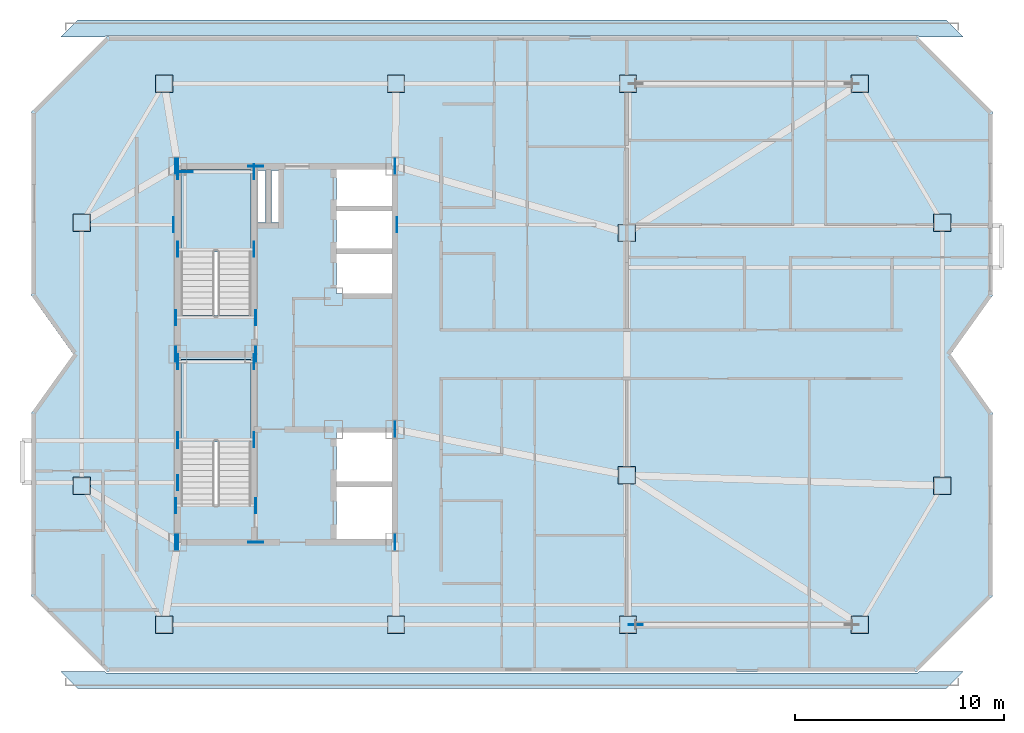
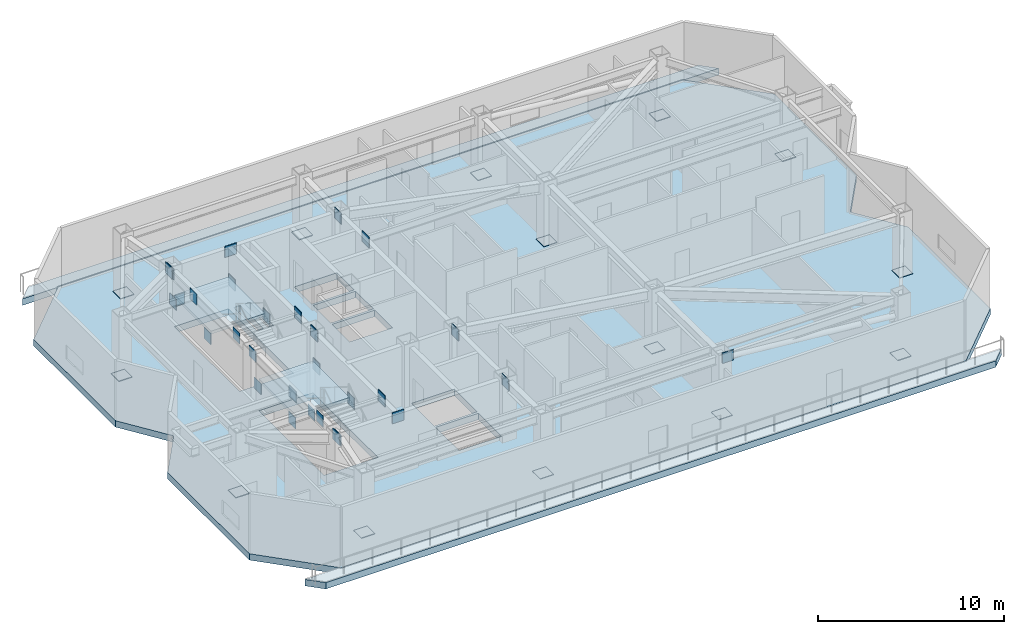
# One storey, part 2 of 11: 43 plates, 5 slabs, 2 elements without a shape of their own.
"""IFC4 building model written with IfcOpenShell, lengths in metres."""

from ifc_helpers import new_model, si_unit, direction, frame, origin, origin_2d, place, context, subcontext, project, spatial, polyline, rectangle, outline, extrude, material, layer, layer_set, type_object, element, aggregate, save


model = new_model("IFC4")

# Units and contexts
model_context = context("Model", 3, precision=1e-05, world=origin(), true_north=direction((0.0, 1.0)))
body_context = subcontext(model_context, "Body", "Model", "MODEL_VIEW")
ifc_project = project(units=[si_unit("LENGTHUNIT", "METRE"), si_unit("AREAUNIT", "SQUARE_METRE"), si_unit("VOLUMEUNIT", "CUBIC_METRE"), si_unit("PLANEANGLEUNIT", "RADIAN"), si_unit("MASSUNIT", "GRAM", prefix="KILO")], contexts=[model_context])

# Site, building, storey
site_placement = place(None, origin())
site = spatial("IfcSite", under=ifc_project, at=site_placement, CompositionType="ELEMENT")
building_placement = place(site_placement, origin())
building = spatial("IfcBuilding", under=site, at=building_placement, Name="Khamvora Tower", CompositionType="ELEMENT")
storey_placement = place(building_placement, frame((0.0, 0.0, 269.449951171875)))
storey = spatial("IfcBuildingStorey", under=building, at=storey_placement, Name="L69", CompositionType="ELEMENT", Elevation=269.449951171875)

# Plates
ifc_material_1 = material(Name="Steel S355", Category="steel")
ifc_layer_1 = layer(ifc_material_1, 0.02490234375)
ifc_layer_set_1 = layer_set([ifc_layer_1], Name="Steel S355")
plate_type_1 = type_object("IfcPlateType", Name="PL-CAP-25", PredefinedType="SHEET", material=ifc_layer_set_1)
for number, where, z_axis, x_axis, name in (
    (1, (28.35009765625, 15.050048828125, -0.00048828125), (0.0, 0.0, 1.0), (1.0, 0.0, 0.0), "L69 hollow section steel end cap plate 0258"),
    (2, (39.449951171875, 15.050048828125, -0.00048828125), (0.0, 0.0, 1.0), (1.0, 0.0, 0.0), "L69 hollow section steel end cap plate 0260"),
    (3, (50.550048828125, 15.050048828125, -0.00048828125), (0.0, 0.0, 1.0), (1.0, 0.0, 0.0), "L69 hollow section steel end cap plate 0262"),
    (4, (61.64990234375, 15.050048828125, -0.00048828125), (0.0, 0.0, 1.0), (1.0, 0.0, 0.0), "L69 hollow section steel end cap plate 0264"),
    (5, (28.35009765625, 40.949951171875, -0.00048828125), (0.0, 0.0, 1.0), (1.0, 0.0, 0.0), "L69 hollow section steel end cap plate 0266"),
    (6, (39.449951171875, 40.949951171875, -0.00048828125), (0.0, 0.0, 1.0), (1.0, 0.0, 0.0), "L69 hollow section steel end cap plate 0268"),
    (7, (50.550048828125, 40.949951171875, -0.00048828125), (0.0, 0.0, 1.0), (1.0, 0.0, 0.0), "L69 hollow section steel end cap plate 0270"),
    (8, (61.64990234375, 40.949951171875, -0.00048828125), (0.0, 0.0, 1.0), (1.0, 0.0, 0.0), "L69 hollow section steel end cap plate 0272"),
    (9, (24.39990234375, 21.699951171875, -0.00048828125), (0.0, 0.0, 1.0), (1.0, 0.0, 0.0), "L69 hollow section steel end cap plate 0274"),
    (10, (24.39990234375, 34.300048828125, -0.00048828125), (0.0, 0.0, 1.0), (1.0, 0.0, 0.0), "L69 hollow section steel end cap plate 0276"),
    (11, (65.60009765625, 21.699951171875, -0.00048828125), (0.0, 0.0, 1.0), (1.0, 0.0, 0.0), "L69 hollow section steel end cap plate 0278"),
    (12, (65.60009765625, 34.300048828125, -0.00048828125), (0.0, 0.0, 1.0), (1.0, 0.0, 0.0), "L69 hollow section steel end cap plate 0280"),
    (13, (50.5, 22.199951171875, -0.00048828125), (0.0, 0.0, 1.0), (1.0, 0.0, 0.0), "L69 hollow section steel end cap plate 0282"),
    (14, (50.5, 33.800048828125, -0.00048828125), (0.0, 0.0, 1.0), (1.0, 0.0, 0.0), "L69 hollow section steel end cap plate 0284"),
):
    element("IfcPlate", number, at=place(storey_placement, frame(where, z_axis=z_axis, x_axis=x_axis)), inside=storey, type_object=plate_type_1, Name=name, PredefinedType="SHEET", context=body_context, shape_type="SweptSolid", body=[
        extrude(rectangle(XDim=0.830078125, YDim=0.830078125, at=origin_2d()), origin(), (0.0, 0.0, 1.0), 0.02490234375),
    ])
ifc_material_2 = material(Name="Steel S460", Category="steel")
ifc_layer_2 = layer(ifc_material_2, 0.034912109375)
ifc_layer_set_2 = layer_set([ifc_layer_2], Name="Steel S460")
plate_type_2 = type_object("IfcPlateType", Name="PL-EMB-35", PredefinedType="SHEET", material=ifc_layer_set_2)
for number, where, z_axis, x_axis, name in (
    (15, (29.0, 23.9150390625, 1.4091796875), (0.0, 0.0, 1.0), (1.0, 0.0, 0.0), "L69 core shear wall cast-in embed plate 2010"),
    (16, (32.64990234375, 23.9150390625, 1.4091796875), (0.0, 0.0, 1.0), (1.0, 0.0, 0.0), "L69 core shear wall cast-in embed plate 2011"),
    (17, (29.0, 27.6298828125, 1.4091796875), (0.0, 0.0, 1.0), (1.0, 0.0, 0.0), "L69 core shear wall cast-in embed plate 2012"),
    (18, (32.64990234375, 27.6298828125, 1.4091796875), (0.0, 0.0, 1.0), (1.0, 0.0, 0.0), "L69 core shear wall cast-in embed plate 2013"),
    (19, (29.0, 33.014892578125, 1.4091796875), (0.0, 0.0, 1.0), (1.0, 0.0, 0.0), "L69 core shear wall cast-in embed plate 2014"),
    (20, (32.64990234375, 33.014892578125, 1.4091796875), (0.0, 0.0, 1.0), (1.0, 0.0, 0.0), "L69 core shear wall cast-in embed plate 2015"),
    (21, (29.0, 36.72998046875, 1.4091796875), (0.0, 0.0, 1.0), (1.0, 0.0, 0.0), "L69 core shear wall cast-in embed plate 2016"),
    (22, (32.64990234375, 36.72998046875, 1.4091796875), (0.0, 0.0, 1.0), (1.0, 0.0, 0.0), "L69 core shear wall cast-in embed plate 2017"),
):
    element("IfcPlate", number, at=place(storey_placement, frame(where, z_axis=z_axis, x_axis=x_axis)), inside=storey, type_object=plate_type_2, Name=name, PredefinedType="SHEET", context=body_context, shape_type="SweptSolid", body=[
        extrude(rectangle(XDim=0.034912109375, YDim=0.719970703125, at=origin_2d()), origin(), (0.0, 0.0, 1.0), 0.719970703125),
    ])
plate_1_placement = place(storey_placement, frame((29.35009765625, 36.72998046875, 1.4091796875), z_axis=(0.0, 0.0, 1.0), x_axis=(1.0, 0.0, 0.0)))
element("IfcPlate", 23, at=plate_1_placement, inside=storey, type_object=plate_type_2, Name="L69 core shear wall cast-in embed plate 2018", PredefinedType="SHEET", context=body_context, shape_type="SweptSolid", body=[
    extrude(rectangle(XDim=0.719970703125, YDim=0.034912109375, at=origin_2d()), origin(), (0.0, 0.0, 1.0), 0.719970703125),
])
for number, where, z_axis, x_axis, name in (
    (24, (29.0, 19.0, 3.2421875), (0.0, 0.0, 1.0), (1.0, 0.0, 0.0), "L69 core shear wall cast-in embed plate 2019"),
    (25, (39.39990234375, 19.0, 3.2421875), (0.0, 0.0, 1.0), (1.0, 0.0, 0.0), "L69 core shear wall cast-in embed plate 2020"),
    (26, (29.0, 37.0, 3.2421875), (0.0, 0.0, 1.0), (1.0, 0.0, 0.0), "L69 core shear wall cast-in embed plate 2021"),
    (27, (39.39990234375, 37.0, 3.2421875), (0.0, 0.0, 1.0), (1.0, 0.0, 0.0), "L69 core shear wall cast-in embed plate 2022"),
    (28, (39.39990234375, 24.39990234375, 3.2421875), (0.0, 0.0, 1.0), (1.0, 0.0, 0.0), "L69 core shear wall cast-in embed plate 2023"),
    (29, (28.89990234375, 19.0, 3.3232421875), (0.0, 0.0, 1.0), (1.0, 0.0, 0.0), "L69 core shear wall cast-in embed plate 2024"),
    (30, (28.89990234375, 28.0, 3.3232421875), (0.0, 0.0, 1.0), (1.0, 0.0, 0.0), "L69 core shear wall cast-in embed plate 2025"),
    (31, (28.89990234375, 37.0, 3.3232421875), (0.0, 0.0, 1.0), (1.0, 0.0, 0.0), "L69 core shear wall cast-in embed plate 2026"),
):
    element("IfcPlate", number, at=place(storey_placement, frame(where, z_axis=z_axis, x_axis=x_axis)), inside=storey, type_object=plate_type_2, Name=name, PredefinedType="SHEET", context=body_context, shape_type="SweptSolid", body=[
        extrude(rectangle(XDim=0.034912109375, YDim=0.719970703125, at=origin_2d()), origin(), (0.0, 0.0, 1.0), 0.719970703125),
    ])
plate_2_placement = place(storey_placement, frame((32.72998046875, 19.0, 3.3232421875), z_axis=(0.0, 0.0, 1.0), x_axis=(1.0, 0.0, 0.0)))
element("IfcPlate", 32, at=plate_2_placement, inside=storey, type_object=plate_type_2, Name="L69 core shear wall cast-in embed plate 2027", PredefinedType="SHEET", context=body_context, shape_type="SweptSolid", body=[
    extrude(rectangle(XDim=0.719970703125, YDim=0.034912109375, at=origin_2d()), origin(), (0.0, 0.0, 1.0), 0.719970703125),
])
plate_3_placement = place(storey_placement, frame((32.72998046875, 28.0, 3.3232421875), z_axis=(0.0, 0.0, 1.0), x_axis=(1.0, 0.0, 0.0)))
element("IfcPlate", 33, at=plate_3_placement, inside=storey, type_object=plate_type_2, Name="L69 core shear wall cast-in embed plate 2028", PredefinedType="SHEET", context=body_context, shape_type="SweptSolid", body=[
    extrude(rectangle(XDim=0.034912109375, YDim=0.719970703125, at=origin_2d()), origin(), (0.0, 0.0, 1.0), 0.719970703125),
])
plate_4_placement = place(storey_placement, frame((32.72998046875, 37.0, 3.3232421875), z_axis=(0.0, 0.0, 1.0), x_axis=(1.0, 0.0, 0.0)))
element("IfcPlate", 34, at=plate_4_placement, inside=storey, type_object=plate_type_2, Name="L69 core shear wall cast-in embed plate 2029", PredefinedType="SHEET", context=body_context, shape_type="SweptSolid", body=[
    extrude(rectangle(XDim=0.719970703125, YDim=0.034912109375, at=origin_2d()), origin(), (0.0, 0.0, 1.0), 0.719970703125),
])
for number, where, z_axis, x_axis, name in (
    (35, (28.89990234375, 20.75, 3.4638671875), (0.0, 0.0, 1.0), (1.0, 0.0, 0.0), "L69 core shear wall cast-in embed plate 2030"),
    (36, (32.72998046875, 20.75, 3.4638671875), (0.0, 0.0, 1.0), (1.0, 0.0, 0.0), "L69 core shear wall cast-in embed plate 2031"),
    (37, (28.89990234375, 29.75, 3.4638671875), (0.0, 0.0, 1.0), (1.0, 0.0, 0.0), "L69 core shear wall cast-in embed plate 2032"),
    (38, (32.72998046875, 29.75, 3.4638671875), (0.0, 0.0, 1.0), (1.0, 0.0, 0.0), "L69 core shear wall cast-in embed plate 2033"),
    (39, (29.0, 21.85009765625, 3.154296875), (0.0, 0.0, 1.0), (1.0, 0.0, 0.0), "L69 core shear wall cast-in embed plate 2034"),
    (40, (29.0, 23.85009765625, 3.154296875), (0.0, 0.0, 1.0), (1.0, 0.0, 0.0), "L69 core shear wall cast-in embed plate 2035"),
    (41, (28.800048828125, 34.199951171875, 3.36083984375), (0.0, 0.0, 1.0), (1.0, 0.0, 0.0), "L69 core shear wall cast-in embed plate 2036"),
    (42, (39.4990234375, 34.199951171875, 3.36083984375), (0.0, 0.0, 1.0), (1.0, 0.0, 0.0), "L69 core shear wall cast-in embed plate 2037"),
):
    element("IfcPlate", number, at=place(storey_placement, frame(where, z_axis=z_axis, x_axis=x_axis)), inside=storey, type_object=plate_type_2, Name=name, PredefinedType="SHEET", context=body_context, shape_type="SweptSolid", body=[
        extrude(rectangle(XDim=0.034912109375, YDim=0.719970703125, at=origin_2d()), origin(), (0.0, 0.0, 1.0), 0.719970703125),
    ])
ifc_layer_3 = layer(ifc_material_2, 0.0400390625)
ifc_layer_set_3 = layer_set([ifc_layer_3], Name="Steel S460")
plate_type_3 = type_object("IfcPlateType", Name="PLT-GUS-40", PredefinedType="SHEET", material=ifc_layer_set_3)
plate_5_placement = place(storey_placement, frame((50.927978515625, 15.050048828125, 3.30908203125), z_axis=(0.0, 0.0, 1.0), x_axis=(1.0, 0.0, 0.0)))
element("IfcPlate", 43, at=plate_5_placement, inside=storey, type_object=plate_type_3, Name="L69 brace connection node gusset plate 0434", PredefinedType="SHEET", context=body_context, shape_type="SweptSolid", body=[
    extrude(rectangle(XDim=0.679931640625, YDim=0.0400390625, at=origin_2d()), origin(), (0.0, 0.0, 1.0), 0.679931640625),
])

# Slabs
ifc_material_3 = material(Name="Concrete C40/50", Category="concrete")
ifc_layer_4 = layer(ifc_material_3, 0.419921875)
ifc_layer_set_4 = layer_set([ifc_layer_4], Name="Concrete C40/50")
slab_type_1 = type_object("IfcSlabType", Name="SLB-BASE-420", PredefinedType="FLOOR", material=ifc_layer_set_4)
slab_1_placement = place(storey_placement, frame((0.0, 0.0, -0.419921875)))
element("IfcSlab", 44, at=slab_1_placement, inside=storey, type_object=slab_type_1, Name="L69 structural floor slab", PredefinedType="FLOOR", context=body_context, shape_type="SweptSolid", body=[
    extrude(outline(polyline([(25.60009765625, 12.800048828125), (64.39990234375, 12.800048828125), (68.0, 16.39990234375), (68.0, 25.199951171875), (66.0, 28.0), (68.0, 30.800048828125), (68.0, 39.60009765625), (64.39990234375, 43.199951171875), (25.60009765625, 43.199951171875), (22.0, 39.60009765625), (22.0, 30.800048828125), (24.0, 28.0), (22.0, 25.199951171875), (22.0, 16.39990234375), (25.60009765625, 12.800048828125)]), holes=[polyline([(32.5, 20.760009765625), (32.5, 27.75), (29.14990234375, 27.75), (29.14990234375, 20.760009765625), (32.5, 20.760009765625)]), polyline([(32.5, 29.860107421875), (32.5, 36.85009765625), (29.14990234375, 36.85009765625), (29.14990234375, 29.860107421875), (32.5, 29.860107421875)]), polyline([(36.60009765625, 19.14990234375), (39.25, 19.14990234375), (39.25, 21.64990234375), (36.60009765625, 21.64990234375), (36.60009765625, 19.14990234375)]), polyline([(36.60009765625, 21.800048828125), (39.25, 21.800048828125), (39.25, 24.25), (36.60009765625, 24.25), (36.60009765625, 21.800048828125)]), polyline([(36.60009765625, 30.89990234375), (39.25, 30.89990234375), (39.25, 32.800048828125), (36.60009765625, 32.800048828125), (36.60009765625, 30.89990234375)]), polyline([(36.60009765625, 32.949951171875), (39.25, 32.949951171875), (39.25, 34.85009765625), (36.60009765625, 34.85009765625), (36.60009765625, 32.949951171875)]), polyline([(36.60009765625, 35.0), (39.25, 35.0), (39.25, 36.85009765625), (36.60009765625, 36.85009765625), (36.60009765625, 35.0)]), polyline([(32.800048828125, 34.300048828125), (33.199951171875, 34.300048828125), (33.199951171875, 36.800048828125), (32.800048828125, 36.800048828125), (32.800048828125, 34.300048828125)]), polyline([(33.47998046875, 34.300048828125), (33.820068359375, 34.300048828125), (33.820068359375, 36.800048828125), (33.47998046875, 36.800048828125), (33.47998046875, 34.300048828125)])]), origin(), (0.0, 0.0, 1.0), 0.419921875),
])
ifc_layer_5 = layer(ifc_material_3, 0.419921875)
ifc_layer_set_5 = layer_set([ifc_layer_5], Name="Concrete C40/50")
slab_type_2 = type_object("IfcSlabType", Name="SLB-GRD-420", PredefinedType="FLOOR", material=ifc_layer_set_5)
slab_2_placement = place(storey_placement, frame((0.0, 0.0, -0.419921875)))
element("IfcSlab", 45, at=slab_2_placement, inside=storey, type_object=slab_type_2, Name="Stepped outdoor roof terrace slab 1", PredefinedType="FLOOR", context=body_context, shape_type="SweptSolid", body=[
    extrude(outline(polyline([(65.800048828125, 12.0), (24.199951171875, 12.0), (23.3798828125, 12.820068359375), (25.4951171875, 12.820068359375), (25.55810546875, 12.758056640625), (25.56201171875, 12.75390625), (25.56689453125, 12.75), (25.572021484375, 12.7470703125), (25.576904296875, 12.7451171875), (25.5830078125, 12.742919921875), (25.587890625, 12.740966796875), (25.593994140625, 12.739990234375), (25.60009765625, 12.739990234375), (64.39990234375, 12.739990234375), (64.406005859375, 12.739990234375), (64.412109375, 12.740966796875), (64.4169921875, 12.742919921875), (64.423095703125, 12.7451171875), (64.427978515625, 12.7470703125), (64.43310546875, 12.75), (64.43798828125, 12.75390625), (64.44189453125, 12.758056640625), (64.5048828125, 12.820068359375), (66.6201171875, 12.820068359375), (65.800048828125, 12.0)])), origin(), (0.0, 0.0, 1.0), 0.419921875),
])
slab_3_placement = place(storey_placement, frame((0.0, 0.0, -0.419921875)))
element("IfcSlab", 46, at=slab_3_placement, inside=storey, type_object=slab_type_2, Name="Stepped outdoor roof terrace slab 2", PredefinedType="FLOOR", context=body_context, shape_type="SweptSolid", body=[
    extrude(outline(polyline([(24.199951171875, 44.0), (65.800048828125, 44.0), (66.6201171875, 43.179931640625), (64.5048828125, 43.179931640625), (64.44189453125, 43.241943359375), (64.43798828125, 43.24609375), (64.43310546875, 43.25), (64.427978515625, 43.2529296875), (64.423095703125, 43.2548828125), (64.4169921875, 43.257080078125), (64.412109375, 43.259033203125), (64.406005859375, 43.260009765625), (64.39990234375, 43.260009765625), (25.60009765625, 43.260009765625), (25.593994140625, 43.260009765625), (25.587890625, 43.259033203125), (25.5830078125, 43.257080078125), (25.576904296875, 43.2548828125), (25.572021484375, 43.2529296875), (25.56689453125, 43.25), (25.56201171875, 43.24609375), (25.55810546875, 43.241943359375), (25.4951171875, 43.179931640625), (23.3798828125, 43.179931640625), (24.199951171875, 44.0)])), origin(), (0.0, 0.0, 1.0), 0.419921875),
])

# Stair, slab
stair_type_1 = type_object("IfcStairType", Name="STR-ST-01", PredefinedType="HALF_TURN_STAIR", material=ifc_material_3)
stair_1_placement = place(storey_placement, origin())
stair_1 = element("IfcStair", 47, at=stair_1_placement, inside=storey, type_object=stair_type_1, Name="L69 South Tower Exit Stair ST-01", PredefinedType="HALF_TURN_STAIR")
ifc_layer_6 = layer(ifc_material_3, 0.199951171875)
ifc_layer_set_6 = layer_set([ifc_layer_6], Name="Concrete C40/50")
slab_type_3 = type_object("IfcSlabType", Name="SLB-LND-200", PredefinedType="LANDING", material=ifc_layer_set_6)
slab_4_placement = place(storey_placement, frame((0.0, 0.0, 1.900146484375)))
slab_4 = element("IfcSlab", 48, at=slab_4_placement, type_object=slab_type_3, Name="ST-01 landing 1", PredefinedType="LANDING", context=body_context, shape_type="SweptSolid", body=[
    extrude(outline(polyline([(32.5, 23.794921875), (32.5, 27.75), (29.14990234375, 27.75), (29.14990234375, 23.794921875), (32.5, 23.794921875)])), origin(), (0.0, 0.0, 1.0), 0.199951171875),
])
aggregate(stair_1, [slab_4])

stair_type_2 = type_object("IfcStairType", Name="STR-ST-02", PredefinedType="HALF_TURN_STAIR", material=ifc_material_3)
stair_2_placement = place(storey_placement, origin())
stair_2 = element("IfcStair", 49, at=stair_2_placement, inside=storey, type_object=stair_type_2, Name="L69 North Tower Exit Stair ST-02", PredefinedType="HALF_TURN_STAIR")
slab_5_placement = place(storey_placement, frame((0.0, 0.0, 1.900146484375)))
slab_5 = element("IfcSlab", 50, at=slab_5_placement, type_object=slab_type_3, Name="ST-02 landing 1", PredefinedType="LANDING", context=body_context, shape_type="SweptSolid", body=[
    extrude(outline(polyline([(32.5, 32.89501953125), (32.5, 36.85009765625), (29.14990234375, 36.85009765625), (29.14990234375, 32.89501953125), (32.5, 32.89501953125)])), origin(), (0.0, 0.0, 1.0), 0.199951171875),
])
aggregate(stair_2, [slab_5])

save(model, "model.ifc")
